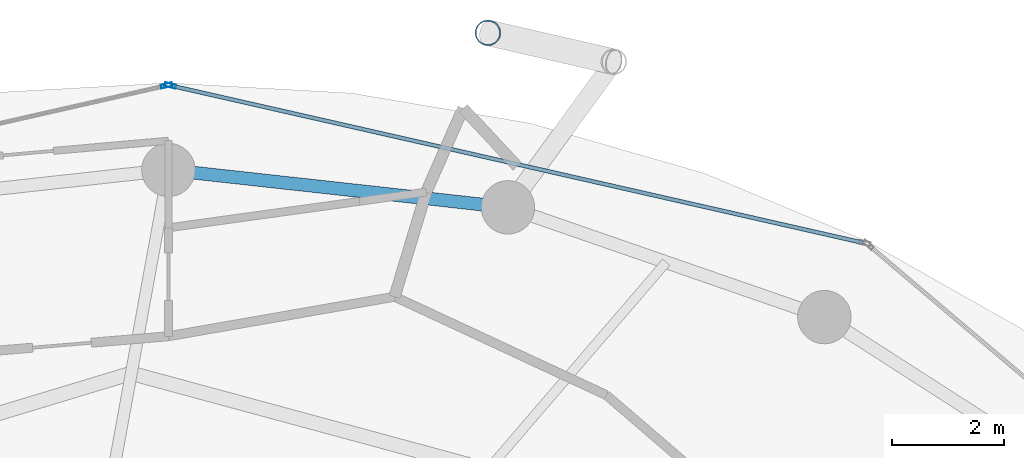
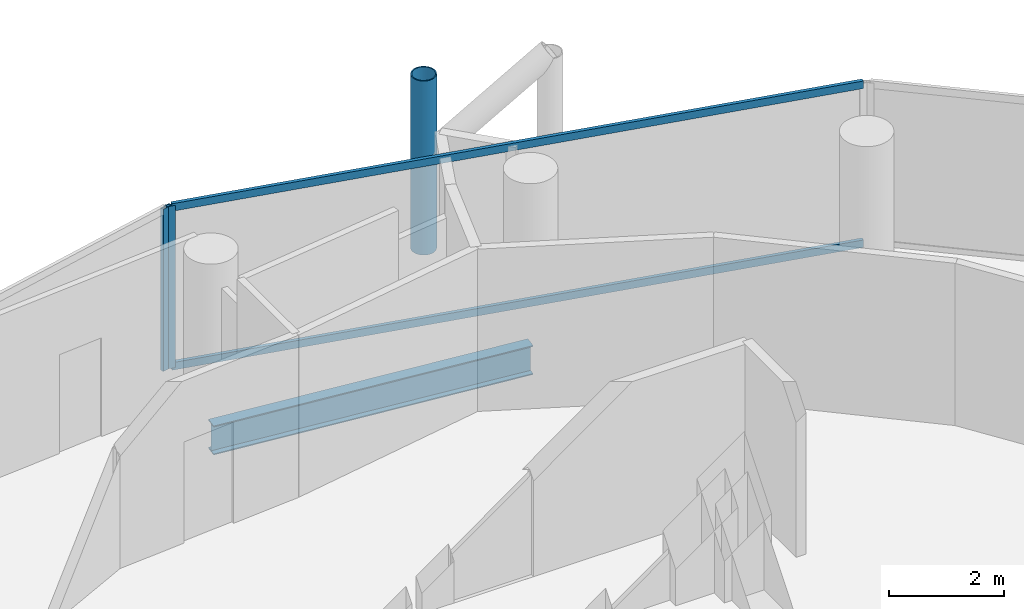
# One storey, part 17 of 26: 5 members, 1 beam, 2 elements without a shape of their own.
"""IFC4 building model written with IfcOpenShell, lengths in metres."""

from ifc_helpers import new_model, si_unit, direction, frame, origin, origin_2d, place, context, subcontext, project, spatial, hollow_rectangle, hollow_circle, i_section, extrude, material, layer, layer_set, material_profile, profile_set, type_object, element, aggregate, save


model = new_model("IFC4")

# Units and contexts
model_context = context("Model", 3, precision=1e-05, world=origin(), true_north=direction((0.0, 1.0)))
body_context = subcontext(model_context, "Body", "Model", "MODEL_VIEW")
ifc_project = project(units=[si_unit("LENGTHUNIT", "METRE"), si_unit("AREAUNIT", "SQUARE_METRE"), si_unit("VOLUMEUNIT", "CUBIC_METRE"), si_unit("PLANEANGLEUNIT", "RADIAN"), si_unit("MASSUNIT", "GRAM", prefix="KILO")], contexts=[model_context])

# Site, building, storey
site_placement = place(None, origin())
site = spatial("IfcSite", under=ifc_project, at=site_placement, CompositionType="ELEMENT")
building_placement = place(site_placement, origin())
building = spatial("IfcBuilding", under=site, at=building_placement, Name="Nuhasar Tower", CompositionType="ELEMENT")
storey_placement = place(building_placement, frame((0.0, 0.0, 162.64990234375)))
storey = spatial("IfcBuildingStorey", under=building, at=storey_placement, Name="L39", CompositionType="ELEMENT", Elevation=162.64990234375)

# Beam
ifc_material_1 = material(Name="Steel S355", Category="steel")
ifc_material_profile_1 = material_profile(ifc_material_1, i_section(OverallWidth=0.22998046875, OverallDepth=0.616943359375, WebThickness=0.01318359375, FlangeThickness=0.022216796875, at=origin_2d()), Name="W24X94")
ifc_profile_set_1 = profile_set([ifc_material_profile_1], Name="Steel S355")
beam_type = type_object("IfcBeamType", Name="BM-RING-W24X94", PredefinedType="SPANDREL", material=ifc_profile_set_1)
beam_placement = place(storey_placement, frame((45.04296875, 45.68408203125, -0.558837890625), z_axis=(-0.993981289157, 0.109549974015, 0.0), x_axis=(-0.109549974015, -0.993981289157, 0.0)))
element("IfcBeam", 1, at=beam_placement, inside=storey, type_object=beam_type, Name="L39 Perimeter Ring Spandrel 06", PredefinedType="SPANDREL", context=body_context, shape_type="SweptSolid", body=[
    extrude(i_section(OverallWidth=0.22998046875, OverallDepth=0.616943359375, WebThickness=0.01318359375, FlangeThickness=0.022216796875, at=origin_2d()), origin(), (0.0, 0.0, 1.0), 6.07958984375),
])

# Curtain wall, member
ifc_material_2 = material(Name="Aluminium 6063-T6", Category="aluminium")
ifc_layer = layer(ifc_material_2, 0.199951171875)
ifc_layer_set = layer_set([ifc_layer], Name="Aluminium 6063-T6")
curtain_wall_type = type_object("IfcCurtainWallType", Name="CW-Z2-HTL", PredefinedType="NOTDEFINED", material=ifc_layer_set)
curtain_wall_1_placement = place(storey_placement, origin())
curtain_wall_1 = element("IfcCurtainWall", 2, at=curtain_wall_1_placement, inside=storey, type_object=curtain_wall_type, Name="L39 Unitised Curtain Wall 03", PredefinedType="NOTDEFINED")
ifc_material_profile_2 = material_profile(ifc_material_2, hollow_rectangle(XDim=0.070068359375, YDim=0.199951171875, WallThickness=0.0048828125, at=origin_2d()), Name="CWM-3")
ifc_profile_set_2 = profile_set([ifc_material_profile_2], Name="Aluminium 6063-T6")
member_type_1 = type_object("IfcMemberType", Name="CW-MUL-S3", PredefinedType="MULLION", material=ifc_profile_set_2)
member_1_placement = place(storey_placement, frame((39.0341796875, 47.852294921875, 0.0), z_axis=(0.0, 0.0, 1.0), x_axis=(-0.22139729566, -0.975183694221, 0.0)))
member_1 = element("IfcMember", 3, at=member_1_placement, type_object=member_type_1, Name="CW-Z2 mullion 2", PredefinedType="MULLION", context=body_context, shape_type="SweptSolid", body=[
    extrude(hollow_rectangle(XDim=0.070068359375, YDim=0.199951171875, WallThickness=0.0048828125, at=origin_2d()), origin(), (0.0, 0.0, 1.0), 3.4501953125),
])

curtain_wall_2_placement = place(storey_placement, origin())
curtain_wall_2 = element("IfcCurtainWall", 4, at=curtain_wall_2_placement, inside=storey, type_object=curtain_wall_type, Name="L39 Unitised Curtain Wall 04", PredefinedType="NOTDEFINED")
member_2_placement = place(storey_placement, frame((38.9658203125, 47.852294921875, 0.0), z_axis=(0.0, 0.0, 1.0), x_axis=(0.22139729566, -0.975183694221, 0.0)))
member_2 = element("IfcMember", 5, at=member_2_placement, type_object=member_type_1, Name="CW-Z2 mullion 1", PredefinedType="MULLION", context=body_context, shape_type="SweptSolid", body=[
    extrude(hollow_rectangle(XDim=0.070068359375, YDim=0.199951171875, WallThickness=0.0048828125, at=origin_2d()), origin(), (0.0, 0.0, 1.0), 3.4501953125),
])
aggregate(curtain_wall_2, [member_2])

# Member
ifc_material_profile_3 = material_profile(ifc_material_2, hollow_rectangle(XDim=0.070068359375, YDim=0.159912109375, WallThickness=0.00439453125, at=origin_2d()), Name="CWT-3")
ifc_profile_set_3 = profile_set([ifc_material_profile_3], Name="Aluminium 6063-T6")
member_type_2 = type_object("IfcMemberType", Name="CW-TRN-S3", PredefinedType="USERDEFINED", material=ifc_profile_set_3)
member_3_placement = place(storey_placement, frame((51.36181640625, 45.053466796875, 0.03515625), z_axis=(-0.975183434528, 0.221398439519, 0.0), x_axis=(-0.221398439519, -0.975183434528, 0.0)))
member_3 = element("IfcMember", 6, at=member_3_placement, type_object=member_type_2, Name="CW-Z2 transom 1.1", ObjectType="TRANSOM", PredefinedType="USERDEFINED", context=body_context, shape_type="SweptSolid", body=[
    extrude(hollow_rectangle(XDim=0.070068359375, YDim=0.159912109375, WallThickness=0.00439453125, at=origin_2d()), origin(), (0.0, 0.0, 1.0), 12.606201171875),
])

member_4_placement = place(storey_placement, frame((51.36181640625, 45.053466796875, 3.4150390625), z_axis=(-0.975183434528, 0.221398439519, 0.0), x_axis=(-0.221398439519, -0.975183434528, 0.0)))
member_4 = element("IfcMember", 7, at=member_4_placement, type_object=member_type_2, Name="CW-Z2 transom 1.2", ObjectType="TRANSOM", PredefinedType="USERDEFINED", context=body_context, shape_type="SweptSolid", body=[
    extrude(hollow_rectangle(XDim=0.070068359375, YDim=0.159912109375, WallThickness=0.00439453125, at=origin_2d()), origin(), (0.0, 0.0, 1.0), 12.606201171875),
])

aggregate(curtain_wall_1, [member_1, member_3, member_4])

ifc_material_3 = material(Name="Steel S460", Category="steel")
ifc_material_profile_4 = material_profile(ifc_material_3, hollow_circle(Radius=0.228515625, WallThickness=0.022216796875, at=origin_2d()), Name="HSS457X22.2")
ifc_profile_set_4 = profile_set([ifc_material_profile_4], Name="Steel S460")
member_type_3 = type_object("IfcMemberType", Name="EXO-BRONZE-457", PredefinedType="BRACE", material=ifc_profile_set_4)
member_5_placement = place(storey_placement, frame((44.68603515625, 48.7900390625, 0.0), z_axis=(0.0, 0.0, 1.0), x_axis=(1.0, 0.0, 0.0)))
element("IfcMember", 8, at=member_5_placement, inside=storey, type_object=member_type_3, Name="L39 Exoskeleton Chord Column EC-03B", PredefinedType="BRACE", context=body_context, shape_type="SweptSolid", body=[
    extrude(hollow_circle(Radius=0.228515625, WallThickness=0.022216796875, at=origin_2d()), origin(), (0.0, 0.0, 1.0), 3.7001953125),
])

save(model, "model.ifc")
